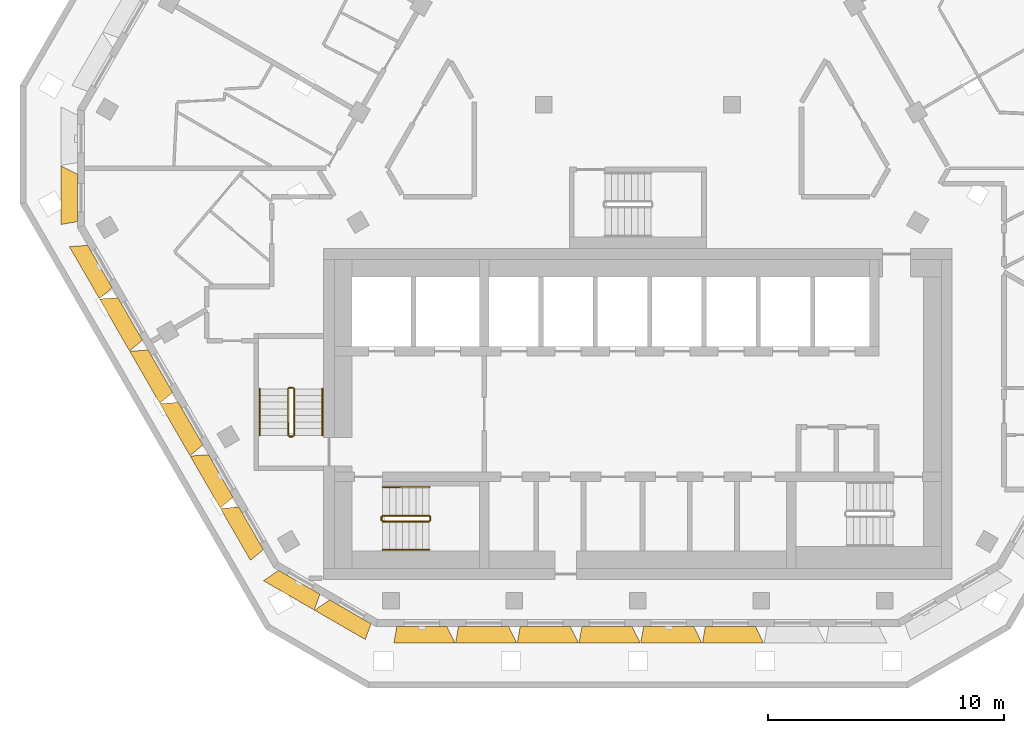
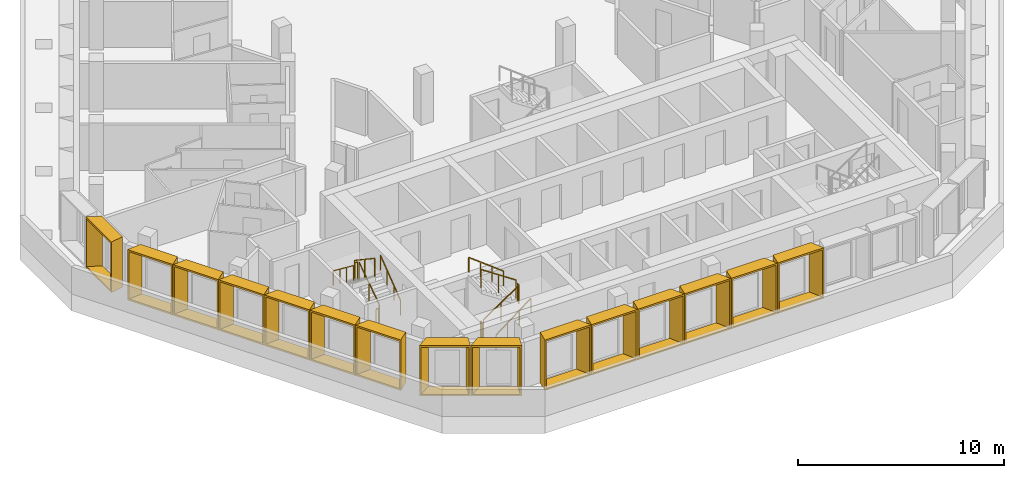
# One storey, part 12 of 15: 15 shading devices, 12 railings.
"""IFC4 building model written with IfcOpenShell, lengths in metres."""

import ifcopenshell
import ifcopenshell.guid

model = None  # the IFC model being written
_history = None  # IfcOwnerHistory: only IFC2X3 demands one
_inside = {}  # id of a spatial element -> (the spatial element, [elements in it])
_under = {}  # id of a project, library or spatial element -> (it, [spatial elements below it])
_declared = {}  # id of a project -> (the project, [libraries it declares])
_typed = {}  # id of a type object -> (the type object, [elements of that type])
_made_of = {}  # id of a material, layer set ... -> (it, [elements and type objects made of it])


def new_model(schema):
    """Start an empty IFC model of exactly this schema.

    Asked for "IFC4X3", IfcOpenShell would pick the latest addendum, in which some entities
    have other attributes; the version numbers below select the first issue.
    IFC2X3 requires an IfcOwnerHistory on every rooted entity: one is made here for all.
    """
    global model, _history
    if schema == "IFC4X3":
        model = ifcopenshell.file(schema_version=(4, 3, 0, 0))
    else:
        model = ifcopenshell.file(schema=schema)
    _inside.clear()
    _under.clear()
    _declared.clear()
    _typed.clear()
    _made_of.clear()
    _history = None
    if model.schema == "IFC2X3":
        org = make("IfcOrganization", Name="unknown")
        user = make(
            "IfcPersonAndOrganization",
            ThePerson=make("IfcPerson", FamilyName="unknown"),
            TheOrganization=org,
        )
        app = make(
            "IfcApplication",
            ApplicationDeveloper=org,
            Version="unknown",
            ApplicationFullName="unknown",
            ApplicationIdentifier="unknown",
        )
        _history = make(
            "IfcOwnerHistory",
            OwningUser=user,
            OwningApplication=app,
            ChangeAction="ADDED",
            CreationDate=0,
        )
    return model


def make(cls, **values):
    """One entity of the class cls with the attributes given. An attribute that is None is left unset."""
    return model.create_entity(
        cls, **{name: value for name, value in values.items() if value is not None}
    )


def entity(cls, *values):
    """Any entity or typed value of the class cls, its attributes in the order of the schema. None: left unset."""
    e = model.create_entity(cls)
    for i, value in enumerate(values):
        if value is not None:
            e[i] = value
    return e


def rooted(cls, **values):
    """An entity with a GlobalId (a new one), such as an element, a storey or a relation."""
    return make(cls, GlobalId=ifcopenshell.guid.new(), OwnerHistory=_history, **values)


def si_unit(unit_type, name, prefix=None):
    """IfcSIUnit, for example si_unit("LENGTHUNIT", "METRE", prefix="MILLI")."""
    return make("IfcSIUnit", UnitType=unit_type, Prefix=prefix, Name=name)


def assignment(units):
    """IfcUnitAssignment: the units of a project."""
    return None if units is None else make("IfcUnitAssignment", Units=units)


def point(xyz):
    """IfcCartesianPoint."""
    return None if xyz is None else make("IfcCartesianPoint", Coordinates=xyz)


def direction(xyz):
    """IfcDirection."""
    return None if xyz is None else make("IfcDirection", DirectionRatios=xyz)


def frame(location, z_axis=None, x_axis=None):
    """IfcAxis2Placement3D, a coordinate frame: its origin and axes. An axis left out is left unset."""
    return make(
        "IfcAxis2Placement3D",
        Location=point(location),
        Axis=direction(z_axis),
        RefDirection=direction(x_axis),
    )


def frame_2d(location, x_axis=None):
    """IfcAxis2Placement2D, a coordinate frame in the plane: its origin and x axis."""
    return make(
        "IfcAxis2Placement2D", Location=point(location), RefDirection=direction(x_axis)
    )


def origin():
    """The frame at (0, 0, 0) with its axes left unset."""
    return frame((0.0, 0.0, 0.0))


def origin_2d():
    """The frame at (0, 0) in the plane with its x axis left unset."""
    return frame_2d((0.0, 0.0))


def place(relative_to, where):
    """IfcLocalPlacement: puts the frame where relative to a parent placement (None: the world)."""
    return make(
        "IfcLocalPlacement", PlacementRelTo=relative_to, RelativePlacement=where
    )


def context(
    kind, dimensions, precision=None, world=None, true_north=None, identifier=None
):
    """IfcGeometricRepresentationContext, for example the 3D "Model" context."""
    return make(
        "IfcGeometricRepresentationContext",
        ContextIdentifier=identifier,
        ContextType=kind,
        CoordinateSpaceDimension=dimensions,
        Precision=precision,
        WorldCoordinateSystem=world,
        TrueNorth=true_north,
    )


def subcontext(parent, identifier, kind, view, scale=None):
    """IfcGeometricRepresentationSubContext, for example "Body" below "Model"."""
    return make(
        "IfcGeometricRepresentationSubContext",
        ContextIdentifier=identifier,
        ContextType=kind,
        ParentContext=parent,
        TargetScale=scale,
        TargetView=view,
    )


def project(units=None, contexts=None):
    """IfcProject with its units and contexts."""
    return rooted(
        "IfcProject",
        Name="project",
        RepresentationContexts=contexts,
        UnitsInContext=assignment(units),
    )


def spatial(cls, under=None, at=None, **own):
    """A site, building, storey or space (cls), placed at a placement, below another one or the project."""
    s = rooted(cls, ObjectPlacement=at, **own)
    if under is not None:
        _under.setdefault(under.id(), (under, []))[1].append(s)
    return s


def profile(cls, at=None, kind="AREA", **sizes):
    """A parametric profile (cls). Its sizes go by their IFC names, for example OverallWidth=200.0."""
    return make(cls, ProfileType=kind, Position=at, **sizes)


def rectangle(**sizes):
    """IfcRectangleProfileDef."""
    return profile("IfcRectangleProfileDef", **sizes)


def extrude(swept, where, along, depth):
    """IfcExtrudedAreaSolid: the profile swept, set in the frame where, extruded along a direction by depth."""
    return make(
        "IfcExtrudedAreaSolid",
        SweptArea=swept,
        Position=where,
        ExtrudedDirection=direction(along),
        Depth=depth,
    )


def shape(context_of_items, identifier, shape_type, items):
    """IfcShapeRepresentation: the items that make up one representation, for example the "Body"."""
    return make(
        "IfcShapeRepresentation",
        ContextOfItems=context_of_items,
        RepresentationIdentifier=identifier,
        RepresentationType=shape_type,
        Items=items,
    )


def source(mapping_origin, context_of_items, identifier, shape_type, items):
    """IfcRepresentationMap: a shape defined once, which mapped items show again and again."""
    return make(
        "IfcRepresentationMap",
        MappingOrigin=mapping_origin,
        MappedRepresentation=shape(context_of_items, identifier, shape_type, items),
    )


def transform(
    local_origin,
    x_axis=None,
    y_axis=None,
    z_axis=None,
    scale=None,
    scale2=None,
    scale3=None,
    uniform=True,
):
    """IfcCartesianTransformationOperator3D, or its non-uniform kind. x_axis, y_axis, z_axis: its Axis1, 2, 3."""
    if uniform:
        return make(
            "IfcCartesianTransformationOperator3D",
            Axis1=direction(x_axis),
            Axis2=direction(y_axis),
            LocalOrigin=point(local_origin),
            Scale=scale,
            Axis3=direction(z_axis),
        )
    return make(
        "IfcCartesianTransformationOperator3DnonUniform",
        Axis1=direction(x_axis),
        Axis2=direction(y_axis),
        LocalOrigin=point(local_origin),
        Scale=scale,
        Axis3=direction(z_axis),
        Scale2=scale2,
        Scale3=scale3,
    )


def mapped(mapping_source, mapping_target):
    """IfcMappedItem: shows the shape of a source again, moved by a transform."""
    return make(
        "IfcMappedItem", MappingSource=mapping_source, MappingTarget=mapping_target
    )


def material(Name=None, Category=None):
    """IfcMaterial."""
    return make("IfcMaterial", Name=Name, Category=Category)


def made_of(thing, what):
    """Note that an element or type object is made of a material, layer set ...; save() writes the relation."""
    if what is not None:
        _made_of.setdefault(what.id(), (what, []))[1].append(thing)
    return thing


def type_object(cls, material=None, **own):
    """A type object (cls), such as IfcWallType, which elements share."""
    return made_of(rooted(cls, **own), material)


def type_shapes(of_type, sources):
    """Give a type object the sources (RepresentationMaps) that its elements show as mapped items."""
    of_type.RepresentationMaps = sources


def element(
    cls,
    number,
    at=None,
    inside=None,
    cuts=None,
    type_object=None,
    material=None,
    context=None,
    identifier="Body",
    shape_type=None,
    held_by="IfcProductDefinitionShape",
    body=None,
    shapes=None,
    **own,
):
    """One element of the class cls, such as IfcWall. Its Tag is "e" and its number.

    at: its placement. inside: the storey or other place that contains it. cuts: it is an
    opening in that element (IfcRelVoidsElement). A single representation is given by context,
    identifier, shape_type and body (its items); several are given by shapes. held_by: the class
    of the entity that holds the representations. save() writes the other relations.
    """
    e = rooted(cls, Tag="e%d" % number, ObjectPlacement=at, **own)
    if body is not None:
        shapes = [shape(context, identifier, shape_type, body)]
    if shapes is not None:
        e.Representation = make(held_by, Representations=shapes)
    if inside is not None:
        _inside.setdefault(inside.id(), (inside, []))[1].append(e)
    if cuts is not None:
        rooted(
            "IfcRelVoidsElement", RelatingBuildingElement=cuts, RelatedOpeningElement=e
        )
    if type_object is not None:
        _typed.setdefault(type_object.id(), (type_object, []))[1].append(e)
    return made_of(e, material)


def aggregate(whole, parts):
    """IfcRelAggregates: a whole, such as a stair, and the parts it consists of."""
    return rooted("IfcRelAggregates", RelatingObject=whole, RelatedObjects=parts)


def save(model, path):
    """Write the relations noted so far, then the file.

    IfcRelAggregates (storeys below a building ...), IfcRelContainedInSpatialStructure (elements
    in a storey), IfcRelDefinesByType, IfcRelAssociatesMaterial and IfcRelDeclares: one each for
    every whole, place, type object, material and project.
    """
    for whole, parts in _under.values():
        aggregate(whole, parts)
    for where, things in _inside.values():
        rooted(
            "IfcRelContainedInSpatialStructure",
            RelatedElements=things,
            RelatingStructure=where,
        )
    for kind, things in _typed.values():
        rooted("IfcRelDefinesByType", RelatedObjects=things, RelatingType=kind)
    for what, things in _made_of.values():
        rooted("IfcRelAssociatesMaterial", RelatedObjects=things, RelatingMaterial=what)
    for by, libraries in _declared.values():
        rooted("IfcRelDeclares", RelatingContext=by, RelatedDefinitions=libraries)
    model.write(path)


model = new_model("IFC4")

# Units and contexts
model_context = context("Model", 3, precision=1e-05, world=origin(), true_north=direction((0.0, 1.0)))
body_context = subcontext(model_context, "Body", "Model", "MODEL_VIEW")
ifc_project = project(units=[si_unit("LENGTHUNIT", "METRE"), si_unit("AREAUNIT", "SQUARE_METRE"), si_unit("VOLUMEUNIT", "CUBIC_METRE"), si_unit("PLANEANGLEUNIT", "RADIAN"), si_unit("MASSUNIT", "GRAM", prefix="KILO")], contexts=[model_context])

# Site, building, storey
site_placement = place(None, origin())
site = spatial("IfcSite", under=ifc_project, at=site_placement, CompositionType="ELEMENT")
building_placement = place(site_placement, origin())
building = spatial("IfcBuilding", under=site, at=building_placement, Name="Beryl Residences", CompositionType="ELEMENT")
storey_placement = place(building_placement, frame((0.0, 0.0, 202.800048828125)))
storey = spatial("IfcBuildingStorey", under=building, at=storey_placement, Name="L62", CompositionType="ELEMENT", Elevation=202.800048828125)

# Shading devices
ifc_material_1 = material(Name="Aluminium pale anodised", Category="aluminium")
shading_device_type_1 = type_object("IfcShadingDeviceType", Name="FR250-70B OUTER SKIN frame 700 mm deep, splay 26/10 deg, 2500 x 3000 mm cell", PredefinedType="USERDEFINED", material=ifc_material_1)
cartesian_point_1 = entity("IfcCartesianPoint", [-1.007568359375, 0.0])
cartesian_point_2 = entity("IfcCartesianPoint", [-0.91845703125, 0.10009765625])
cartesian_point_3 = entity("IfcCartesianPoint", [-1.348876953125, 0.0])
cartesian_point_4 = entity("IfcCartesianPoint", [-1.260009765625, 0.10009765625])
shared_shape_1 = source(origin(), body_context, "Body", "SweptSolid", [
    entity("IfcExtrudedAreaSolidTapered", entity("IfcArbitraryProfileDefWithVoids", "AREA", None, entity("IfcPolyline", [cartesian_point_1, entity("IfcCartesianPoint", [1.007568359375, 0.0]), entity("IfcCartesianPoint", [1.007568359375, 3.0]), entity("IfcCartesianPoint", [-1.007568359375, 3.0]), cartesian_point_1]), [entity("IfcPolyline", [cartesian_point_2, entity("IfcCartesianPoint", [0.92626953125, 0.10009765625]), entity("IfcCartesianPoint", [0.92626953125, 2.89990234375]), entity("IfcCartesianPoint", [-0.91845703125, 2.89990234375]), cartesian_point_2])]), entity("IfcAxis2Placement3D", entity("IfcCartesianPoint", [0.0, 0.0, 0.0]), entity("IfcDirection", [0.0, 1.0, 0.0]), entity("IfcDirection", [-1.0, 0.0, 0.0])), entity("IfcDirection", [0.0, 0.0, 1.0]), 0.699951171875, entity("IfcArbitraryProfileDefWithVoids", "AREA", None, entity("IfcPolyline", [cartesian_point_3, entity("IfcCartesianPoint", [1.130859375, 0.0]), entity("IfcCartesianPoint", [1.130859375, 3.0]), entity("IfcCartesianPoint", [-1.348876953125, 3.0]), cartesian_point_3]), [entity("IfcPolyline", [cartesian_point_4, entity("IfcCartesianPoint", [1.0498046875, 0.10009765625]), entity("IfcCartesianPoint", [1.0498046875, 2.89990234375]), entity("IfcCartesianPoint", [-1.260009765625, 2.89990234375]), cartesian_point_4])])),
])
type_shapes(shading_device_type_1, [shared_shape_1])
for number, where, z_axis, x_axis, name in (
    (1, (-23.72900390625, -2.85009765625, 0.0), (0.0, 0.0, 1.0), (0.0, 1.0, 0.0), "FR250-70B frame L62 NW-SW 2"),
    (2, (-14.33203125, -19.125, 0.0), (0.0, 0.0, 1.0), (-0.866025403784, 0.5, 0.0), "FR250-70B frame L62 SW-S 1"),
    (3, (-12.16796875, -20.375, 0.0), (0.0, 0.0, 1.0), (-0.866025403784, 0.5, 0.0), "FR250-70B frame L62 SW-S 2"),
):
    element("IfcShadingDevice", number, at=place(storey_placement, frame(where, z_axis=z_axis, x_axis=x_axis)), inside=storey, type_object=shading_device_type_1, Name=name, ObjectType="OUTER SKIN", PredefinedType="USERDEFINED", context=body_context, shape_type="MappedRepresentation", body=[
        mapped(shared_shape_1, transform((0.0, 0.0, 0.0))),
    ])
ifc_material_2 = material(Name="Aluminium pale anodised", Category="aluminium")
shading_device_type_2 = type_object("IfcShadingDeviceType", Name="FR256-70B OUTER SKIN frame 700 mm deep, splay 26/10 deg, 2560 x 3000 mm cell", PredefinedType="USERDEFINED", material=ifc_material_2)
cartesian_point_5 = entity("IfcCartesianPoint", [-1.03759765625, 0.0])
cartesian_point_6 = entity("IfcCartesianPoint", [-0.948486328125, 0.10009765625])
cartesian_point_7 = entity("IfcCartesianPoint", [-1.37890625, 0.0])
cartesian_point_8 = entity("IfcCartesianPoint", [-1.289794921875, 0.10009765625])
shared_shape_2 = source(origin(), body_context, "Body", "SweptSolid", [
    entity("IfcExtrudedAreaSolidTapered", entity("IfcArbitraryProfileDefWithVoids", "AREA", None, entity("IfcPolyline", [cartesian_point_5, entity("IfcCartesianPoint", [1.03759765625, 0.0]), entity("IfcCartesianPoint", [1.03759765625, 3.0]), entity("IfcCartesianPoint", [-1.03759765625, 3.0]), cartesian_point_5]), [entity("IfcPolyline", [cartesian_point_6, entity("IfcCartesianPoint", [0.956298828125, 0.10009765625]), entity("IfcCartesianPoint", [0.956298828125, 2.89990234375]), entity("IfcCartesianPoint", [-0.948486328125, 2.89990234375]), cartesian_point_6])]), entity("IfcAxis2Placement3D", entity("IfcCartesianPoint", [0.0, 0.0, 0.0]), entity("IfcDirection", [0.0, 1.0, 0.0]), entity("IfcDirection", [-1.0, 0.0, 0.0])), entity("IfcDirection", [0.0, 0.0, 1.0]), 0.699951171875, entity("IfcArbitraryProfileDefWithVoids", "AREA", None, entity("IfcPolyline", [cartesian_point_7, entity("IfcCartesianPoint", [1.160888671875, 0.0]), entity("IfcCartesianPoint", [1.160888671875, 3.0]), entity("IfcCartesianPoint", [-1.37890625, 3.0]), cartesian_point_7]), [entity("IfcPolyline", [cartesian_point_8, entity("IfcCartesianPoint", [1.07958984375, 0.10009765625]), entity("IfcCartesianPoint", [1.07958984375, 2.89990234375]), entity("IfcCartesianPoint", [-1.289794921875, 2.89990234375]), cartesian_point_8])])),
])
type_shapes(shading_device_type_2, [shared_shape_2])
for number, where, z_axis, x_axis, name in (
    (4, (-22.77099609375, -5.758056640625, 0.0), (0.0, 0.0, 1.0), (-0.5, 0.866025403784, 0.0), "FR256-70B frame L62 SW 1"),
    (5, (-21.491943359375, -7.97509765625, 0.0), (0.0, 0.0, 1.0), (-0.5, 0.866025403784, 0.0), "FR256-70B frame L62 SW 2"),
    (6, (-20.2119140625, -10.19091796875, 0.0), (0.0, 0.0, 1.0), (-0.5, 0.866025403784, 0.0), "FR256-70B frame L62 SW 3"),
    (7, (-18.931884765625, -12.407958984375, 0.0), (0.0, 0.0, 1.0), (-0.5, 0.866025403784, 0.0), "FR256-70B frame L62 SW 4"),
    (8, (-17.653076171875, -14.6240234375, 0.0), (0.0, 0.0, 1.0), (-0.5, 0.866025403784, 0.0), "FR256-70B frame L62 SW 5"),
    (9, (-16.373046875, -16.841064453125, 0.0), (0.0, 0.0, 1.0), (-0.5, 0.866025403784, 0.0), "FR256-70B frame L62 SW 6"),
):
    element("IfcShadingDevice", number, at=place(storey_placement, frame(where, z_axis=z_axis, x_axis=x_axis)), inside=storey, type_object=shading_device_type_2, Name=name, ObjectType="OUTER SKIN", PredefinedType="USERDEFINED", context=body_context, shape_type="MappedRepresentation", body=[
        mapped(shared_shape_2, transform((0.0, 0.0, 0.0))),
    ])
ifc_material_3 = material(Name="Aluminium pale anodised", Category="aluminium")
shading_device_type_3 = type_object("IfcShadingDeviceType", Name="FR261-70C OUTER SKIN frame 700 mm deep, splay 10/26 deg, 2610 x 3000 mm cell", PredefinedType="USERDEFINED", material=ifc_material_3)
cartesian_point_9 = entity("IfcCartesianPoint", [-1.0625, 0.0])
cartesian_point_10 = entity("IfcCartesianPoint", [-0.981201171875, 0.10009765625])
cartesian_point_11 = entity("IfcCartesianPoint", [-1.18603515625, 0.0])
cartesian_point_12 = entity("IfcCartesianPoint", [-1.104736328125, 0.10009765625])
shared_shape_3 = source(origin(), body_context, "Body", "SweptSolid", [
    entity("IfcExtrudedAreaSolidTapered", entity("IfcArbitraryProfileDefWithVoids", "AREA", None, entity("IfcPolyline", [cartesian_point_9, entity("IfcCartesianPoint", [1.0625, 0.0]), entity("IfcCartesianPoint", [1.0625, 3.0]), entity("IfcCartesianPoint", [-1.0625, 3.0]), cartesian_point_9]), [entity("IfcPolyline", [cartesian_point_10, entity("IfcCartesianPoint", [0.973388671875, 0.10009765625]), entity("IfcCartesianPoint", [0.973388671875, 2.89990234375]), entity("IfcCartesianPoint", [-0.981201171875, 2.89990234375]), cartesian_point_10])]), entity("IfcAxis2Placement3D", entity("IfcCartesianPoint", [0.0, 0.0, 0.0]), entity("IfcDirection", [0.0, 1.0, 0.0]), entity("IfcDirection", [-1.0, 0.0, 0.0])), entity("IfcDirection", [0.0, 0.0, 1.0]), 0.699951171875, entity("IfcArbitraryProfileDefWithVoids", "AREA", None, entity("IfcPolyline", [cartesian_point_11, entity("IfcCartesianPoint", [1.40380859375, 0.0]), entity("IfcCartesianPoint", [1.40380859375, 3.0]), entity("IfcCartesianPoint", [-1.18603515625, 3.0]), cartesian_point_11]), [entity("IfcPolyline", [cartesian_point_12, entity("IfcCartesianPoint", [1.31494140625, 0.10009765625]), entity("IfcCartesianPoint", [1.31494140625, 2.89990234375]), entity("IfcCartesianPoint", [-1.104736328125, 2.89990234375]), cartesian_point_12])])),
])
type_shapes(shading_device_type_3, [shared_shape_3])
for number, where, z_axis, x_axis, name in (
    (10, (-9.14404296875, -21.0, 0.0), (0.0, 0.0, 1.0), (-1.0, 0.0, 0.0), "FR261-70C frame L62 S 1"),
    (11, (-6.531005859375, -21.0, 0.0), (0.0, 0.0, 1.0), (-1.0, 0.0, 0.0), "FR261-70C frame L62 S 2"),
    (12, (-3.9189453125, -21.0, 0.0), (0.0, 0.0, 1.0), (-1.0, 0.0, 0.0), "FR261-70C frame L62 S 3"),
    (13, (-1.305908203125, -21.0, 0.0), (0.0, 0.0, 1.0), (-1.0, 0.0, 0.0), "FR261-70C frame L62 S 4"),
    (14, (1.305908203125, -21.0, 0.0), (0.0, 0.0, 1.0), (-1.0, 0.0, 0.0), "FR261-70C frame L62 S 5"),
    (15, (3.9189453125, -21.0, 0.0), (0.0, 0.0, 1.0), (-1.0, 0.0, 0.0), "FR261-70C frame L62 S 6"),
):
    element("IfcShadingDevice", number, at=place(storey_placement, frame(where, z_axis=z_axis, x_axis=x_axis)), inside=storey, type_object=shading_device_type_3, Name=name, ObjectType="OUTER SKIN", PredefinedType="USERDEFINED", context=body_context, shape_type="MappedRepresentation", body=[
        mapped(shared_shape_3, transform((0.0, 0.0, 0.0))),
    ])

# Railings
ifc_material_4 = material(Name="Stainless steel balustrade with glass infill", Category="steel")
railing_type_1 = type_object("IfcRailingType", Name="SG1 stair guard 1100 mm", PredefinedType="GUARDRAIL", material=ifc_material_4)
railing_1_placement = place(storey_placement, frame((-10.800048828125, -16.550048828125, 0.1875)))
element("IfcRailing", 16, at=railing_1_placement, inside=storey, type_object=railing_type_1, Name="L62 ST-1 stair guard 1", PredefinedType="GUARDRAIL", context=body_context, shape_type="SweptSolid", body=[
    extrude(rectangle(XDim=0.048095703125, YDim=0.048095703125, at=origin_2d()), frame((0.0, 0.0, 1.076171875), z_axis=(0.830902050051, 0.0, 0.556418712142), x_axis=(0.0, 1.0, 0.0)), (0.0, 0.0, 1.0), 2.35888671875),
    extrude(rectangle(XDim=0.0419921875, YDim=0.0419921875, at=origin_2d()), origin(), (0.0, 0.0, 1.0), 1.052001953125),
    extrude(rectangle(XDim=0.0419921875, YDim=0.0419921875, at=origin_2d()), frame((0.97998046875, 0.0, 0.65625)), (0.0, 0.0, 1.0), 1.052001953125),
    extrude(rectangle(XDim=0.0419921875, YDim=0.0419921875, at=origin_2d()), frame((1.9599609375, 0.0, 1.3125)), (0.0, 0.0, 1.0), 1.052001953125),
])
railing_2_placement = place(storey_placement, frame((-8.7900390625, -16.5, 1.5)))
element("IfcRailing", 17, at=railing_2_placement, inside=storey, type_object=railing_type_1, Name="L62 ST-1 stair guard 2", PredefinedType="GUARDRAIL", context=body_context, shape_type="SweptSolid", body=[
    extrude(rectangle(XDim=0.048095703125, YDim=0.048095703125, at=origin_2d()), frame((0.0, 0.0, 1.076171875), z_axis=(0.0, 1.0, 0.0), x_axis=(-1.0, 0.0, 0.0)), (0.0, 0.0, 1.0), 0.14990234375),
    extrude(rectangle(XDim=0.0419921875, YDim=0.0419921875, at=origin_2d()), origin(), (0.0, 0.0, 1.0), 1.052001953125),
    extrude(rectangle(XDim=0.0419921875, YDim=0.0419921875, at=origin_2d()), frame((0.0, 0.14990234375, 0.0)), (0.0, 0.0, 1.0), 1.052001953125),
])
railing_3_placement = place(storey_placement, frame((-8.840087890625, -16.300048828125, 1.6875)))
element("IfcRailing", 18, at=railing_3_placement, inside=storey, type_object=railing_type_1, Name="L62 ST-1 stair guard 3", PredefinedType="GUARDRAIL", context=body_context, shape_type="SweptSolid", body=[
    extrude(rectangle(XDim=0.048095703125, YDim=0.048095703125, at=origin_2d()), frame((0.0, 0.0, 1.076171875), z_axis=(-0.830902050051, 0.0, 0.556418712142), x_axis=(0.0, -1.0, 0.0)), (0.0, 0.0, 1.0), 2.35888671875),
    extrude(rectangle(XDim=0.0419921875, YDim=0.0419921875, at=origin_2d()), origin(), (0.0, 0.0, 1.0), 1.052001953125),
    extrude(rectangle(XDim=0.0419921875, YDim=0.0419921875, at=origin_2d()), frame((-0.97998046875, 0.0, 0.65625)), (0.0, 0.0, 1.0), 1.052001953125),
    extrude(rectangle(XDim=0.0419921875, YDim=0.0419921875, at=origin_2d()), frame((-1.9599609375, 0.0, 1.3125)), (0.0, 0.0, 1.0), 1.052001953125),
])
railing_4_placement = place(storey_placement, frame((-10.85009765625, -16.5, 0.0)))
element("IfcRailing", 19, at=railing_4_placement, inside=storey, type_object=railing_type_1, Name="L62 ST-1 stair guard 4", PredefinedType="GUARDRAIL", context=body_context, shape_type="SweptSolid", body=[
    extrude(rectangle(XDim=0.048095703125, YDim=0.048095703125, at=origin_2d()), frame((0.0, 0.0, 1.076171875), z_axis=(0.0, 1.0, 0.0), x_axis=(-1.0, 0.0, 0.0)), (0.0, 0.0, 1.0), 0.14990234375),
    extrude(rectangle(XDim=0.0419921875, YDim=0.0419921875, at=origin_2d()), origin(), (0.0, 0.0, 1.0), 1.052001953125),
    extrude(rectangle(XDim=0.0419921875, YDim=0.0419921875, at=origin_2d()), frame((0.0, 0.14990234375, 0.0)), (0.0, 0.0, 1.0), 1.052001953125),
])
railing_5_placement = place(storey_placement, frame((-14.550048828125, -12.89990234375, 0.1875)))
element("IfcRailing", 20, at=railing_5_placement, inside=storey, type_object=railing_type_1, Name="L62 ST-2 stair guard 1", PredefinedType="GUARDRAIL", context=body_context, shape_type="SweptSolid", body=[
    extrude(rectangle(XDim=0.048095703125, YDim=0.048095703125, at=origin_2d()), frame((0.0, 0.0, 1.076171875), z_axis=(0.0, 0.830902050051, 0.556418712142), x_axis=(-1.0, 0.0, 0.0)), (0.0, 0.0, 1.0), 2.35888671875),
    extrude(rectangle(XDim=0.0419921875, YDim=0.0419921875, at=origin_2d()), origin(), (0.0, 0.0, 1.0), 1.052001953125),
    extrude(rectangle(XDim=0.0419921875, YDim=0.0419921875, at=origin_2d()), frame((0.0, 0.97998046875, 0.65625)), (0.0, 0.0, 1.0), 1.052001953125),
    extrude(rectangle(XDim=0.0419921875, YDim=0.0419921875, at=origin_2d()), frame((0.0, 1.9599609375, 1.3125)), (0.0, 0.0, 1.0), 1.052001953125),
])
railing_6_placement = place(storey_placement, frame((-14.60009765625, -10.889892578125, 1.5)))
element("IfcRailing", 21, at=railing_6_placement, inside=storey, type_object=railing_type_1, Name="L62 ST-2 stair guard 2", PredefinedType="GUARDRAIL", context=body_context, shape_type="SweptSolid", body=[
    extrude(rectangle(XDim=0.048095703125, YDim=0.048095703125, at=origin_2d()), frame((0.0, 0.0, 1.076171875), z_axis=(-1.0, 0.0, 0.0), x_axis=(0.0, -1.0, 0.0)), (0.0, 0.0, 1.0), 0.14990234375),
    extrude(rectangle(XDim=0.0419921875, YDim=0.0419921875, at=origin_2d()), origin(), (0.0, 0.0, 1.0), 1.052001953125),
    extrude(rectangle(XDim=0.0419921875, YDim=0.0419921875, at=origin_2d()), frame((-0.14990234375, 0.0, 0.0)), (0.0, 0.0, 1.0), 1.052001953125),
])
railing_7_placement = place(storey_placement, frame((-14.800048828125, -10.93994140625, 1.6875)))
element("IfcRailing", 22, at=railing_7_placement, inside=storey, type_object=railing_type_1, Name="L62 ST-2 stair guard 3", PredefinedType="GUARDRAIL", context=body_context, shape_type="SweptSolid", body=[
    extrude(rectangle(XDim=0.048095703125, YDim=0.048095703125, at=origin_2d()), frame((0.0, 0.0, 1.076171875), z_axis=(0.0, -0.830902050051, 0.556418712142), x_axis=(1.0, 0.0, 0.0)), (0.0, 0.0, 1.0), 2.35888671875),
    extrude(rectangle(XDim=0.0419921875, YDim=0.0419921875, at=origin_2d()), origin(), (0.0, 0.0, 1.0), 1.052001953125),
    extrude(rectangle(XDim=0.0419921875, YDim=0.0419921875, at=origin_2d()), frame((0.0, -0.97998046875, 0.65625)), (0.0, 0.0, 1.0), 1.052001953125),
    extrude(rectangle(XDim=0.0419921875, YDim=0.0419921875, at=origin_2d()), frame((0.0, -1.9599609375, 1.3125)), (0.0, 0.0, 1.0), 1.052001953125),
])
railing_8_placement = place(storey_placement, frame((-14.60009765625, -12.949951171875, 0.0)))
element("IfcRailing", 23, at=railing_8_placement, inside=storey, type_object=railing_type_1, Name="L62 ST-2 stair guard 4", PredefinedType="GUARDRAIL", context=body_context, shape_type="SweptSolid", body=[
    extrude(rectangle(XDim=0.048095703125, YDim=0.048095703125, at=origin_2d()), frame((0.0, 0.0, 1.076171875), z_axis=(-1.0, 0.0, 0.0), x_axis=(0.0, -1.0, 0.0)), (0.0, 0.0, 1.0), 0.14990234375),
    extrude(rectangle(XDim=0.0419921875, YDim=0.0419921875, at=origin_2d()), origin(), (0.0, 0.0, 1.0), 1.052001953125),
    extrude(rectangle(XDim=0.0419921875, YDim=0.0419921875, at=origin_2d()), frame((-0.14990234375, 0.0, 0.0)), (0.0, 0.0, 1.0), 1.052001953125),
])
ifc_material_5 = material(Name="Stainless steel handrail", Category="steel")
railing_type_2 = type_object("IfcRailingType", Name="SRL1 stair handrail 900 mm", PredefinedType="HANDRAIL", material=ifc_material_5)
railing_9_placement = place(storey_placement, frame((-10.800048828125, -17.75, 0.1875)))
element("IfcRailing", 24, at=railing_9_placement, inside=storey, type_object=railing_type_2, Name="L62 ST-1 stair handrail 1", PredefinedType="HANDRAIL", context=body_context, shape_type="SweptSolid", body=[
    extrude(rectangle(XDim=0.048095703125, YDim=0.048095703125, at=origin_2d()), frame((0.0, 0.0, 0.8759765625), z_axis=(0.794121922505, 0.0, 0.607758481798), x_axis=(0.0, 1.0, 0.0)), (0.0, 0.0, 1.0), 2.468017578125),
    extrude(rectangle(XDim=0.0419921875, YDim=0.0419921875, at=origin_2d()), origin(), (0.0, 0.0, 1.0), 0.851806640625),
    extrude(rectangle(XDim=0.0419921875, YDim=0.0419921875, at=origin_2d()), frame((0.6533203125, 0.0, 0.5)), (0.0, 0.0, 1.0), 0.851806640625),
    extrude(rectangle(XDim=0.0419921875, YDim=0.0419921875, at=origin_2d()), frame((1.306640625, 0.0, 1.0)), (0.0, 0.0, 1.0), 0.851806640625),
    extrude(rectangle(XDim=0.0419921875, YDim=0.0419921875, at=origin_2d()), frame((1.9599609375, 0.0, 1.5)), (0.0, 0.0, 1.0), 0.851806640625),
])
railing_10_placement = place(storey_placement, frame((-8.840087890625, -15.10009765625, 1.6875)))
element("IfcRailing", 25, at=railing_10_placement, inside=storey, type_object=railing_type_2, Name="L62 ST-1 stair handrail 2", PredefinedType="HANDRAIL", context=body_context, shape_type="SweptSolid", body=[
    extrude(rectangle(XDim=0.048095703125, YDim=0.048095703125, at=origin_2d()), frame((0.0, 0.0, 0.8759765625), z_axis=(-0.794121922505, 0.0, 0.607758481798), x_axis=(0.0, -1.0, 0.0)), (0.0, 0.0, 1.0), 2.468017578125),
    extrude(rectangle(XDim=0.0419921875, YDim=0.0419921875, at=origin_2d()), origin(), (0.0, 0.0, 1.0), 0.851806640625),
    extrude(rectangle(XDim=0.0419921875, YDim=0.0419921875, at=origin_2d()), frame((-0.6533203125, 0.0, 0.5)), (0.0, 0.0, 1.0), 0.851806640625),
    extrude(rectangle(XDim=0.0419921875, YDim=0.0419921875, at=origin_2d()), frame((-1.306640625, 0.0, 1.0)), (0.0, 0.0, 1.0), 0.851806640625),
    extrude(rectangle(XDim=0.0419921875, YDim=0.0419921875, at=origin_2d()), frame((-1.9599609375, 0.0, 1.5)), (0.0, 0.0, 1.0), 0.851806640625),
])
railing_11_placement = place(storey_placement, frame((-13.35009765625, -12.89990234375, 0.1875)))
element("IfcRailing", 26, at=railing_11_placement, inside=storey, type_object=railing_type_2, Name="L62 ST-2 stair handrail 1", PredefinedType="HANDRAIL", context=body_context, shape_type="SweptSolid", body=[
    extrude(rectangle(XDim=0.048095703125, YDim=0.048095703125, at=origin_2d()), frame((0.0, 0.0, 0.8759765625), z_axis=(0.0, 0.794121922505, 0.607758481798), x_axis=(-1.0, 0.0, 0.0)), (0.0, 0.0, 1.0), 2.468017578125),
    extrude(rectangle(XDim=0.0419921875, YDim=0.0419921875, at=origin_2d()), origin(), (0.0, 0.0, 1.0), 0.851806640625),
    extrude(rectangle(XDim=0.0419921875, YDim=0.0419921875, at=origin_2d()), frame((0.0, 0.6533203125, 0.5)), (0.0, 0.0, 1.0), 0.851806640625),
    extrude(rectangle(XDim=0.0419921875, YDim=0.0419921875, at=origin_2d()), frame((0.0, 1.306640625, 1.0)), (0.0, 0.0, 1.0), 0.851806640625),
    extrude(rectangle(XDim=0.0419921875, YDim=0.0419921875, at=origin_2d()), frame((0.0, 1.9599609375, 1.5)), (0.0, 0.0, 1.0), 0.851806640625),
])
railing_12_placement = place(storey_placement, frame((-16.0, -10.93994140625, 1.6875)))
element("IfcRailing", 27, at=railing_12_placement, inside=storey, type_object=railing_type_2, Name="L62 ST-2 stair handrail 2", PredefinedType="HANDRAIL", context=body_context, shape_type="SweptSolid", body=[
    extrude(rectangle(XDim=0.048095703125, YDim=0.048095703125, at=origin_2d()), frame((0.0, 0.0, 0.8759765625), z_axis=(0.0, -0.794121922505, 0.607758481798), x_axis=(1.0, 0.0, 0.0)), (0.0, 0.0, 1.0), 2.468017578125),
    extrude(rectangle(XDim=0.0419921875, YDim=0.0419921875, at=origin_2d()), origin(), (0.0, 0.0, 1.0), 0.851806640625),
    extrude(rectangle(XDim=0.0419921875, YDim=0.0419921875, at=origin_2d()), frame((0.0, -0.6533203125, 0.5)), (0.0, 0.0, 1.0), 0.851806640625),
    extrude(rectangle(XDim=0.0419921875, YDim=0.0419921875, at=origin_2d()), frame((0.0, -1.306640625, 1.0)), (0.0, 0.0, 1.0), 0.851806640625),
    extrude(rectangle(XDim=0.0419921875, YDim=0.0419921875, at=origin_2d()), frame((0.0, -1.9599609375, 1.5)), (0.0, 0.0, 1.0), 0.851806640625),
])

save(model, "model.ifc")
